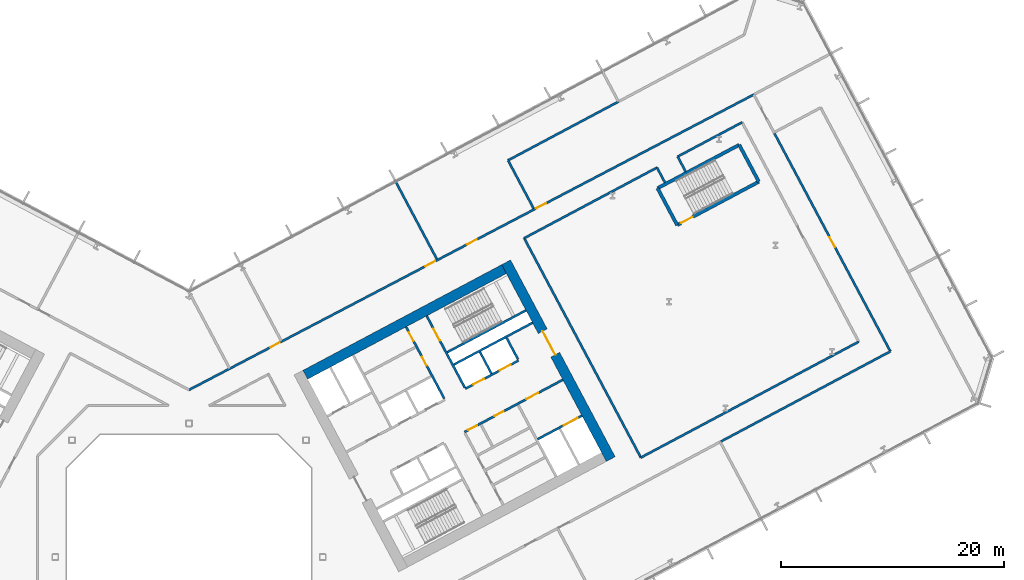
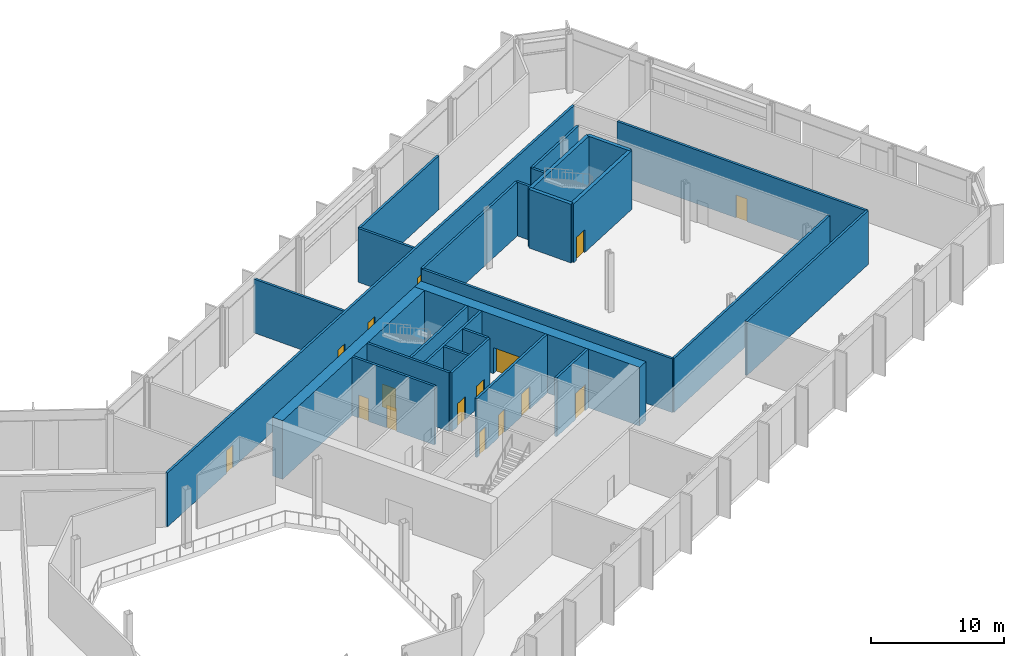
# One storey, part 16 of 31: 27 walls, 16 doors, 16 openings.
"""IFC4 building model written with IfcOpenShell, lengths in metres."""

from ifc_helpers import new_model, si_unit, direction, frame, frame_2d, origin, place, context, subcontext, project, spatial, rectangle, extrude, material, layer, layer_set, type_object, element, fill, save


model = new_model("IFC4")

# Units and contexts
model_context = context("Model", 3, precision=1e-05, world=origin(), true_north=direction((0.0, 1.0)))
body_context = subcontext(model_context, "Body", "Model", "MODEL_VIEW")
ifc_project = project(units=[si_unit("LENGTHUNIT", "METRE"), si_unit("AREAUNIT", "SQUARE_METRE"), si_unit("VOLUMEUNIT", "CUBIC_METRE"), si_unit("PLANEANGLEUNIT", "RADIAN"), si_unit("MASSUNIT", "GRAM", prefix="KILO")], contexts=[model_context])

# Site, building, storey
site_placement = place(None, origin())
site = spatial("IfcSite", under=ifc_project, at=site_placement, CompositionType="ELEMENT")
building_placement = place(site_placement, origin())
building = spatial("IfcBuilding", under=site, at=building_placement, Name="Cormorant Relay Tower", CompositionType="ELEMENT")
storey_placement = place(building_placement, frame((0.0, 0.0, 23.0)))
storey = spatial("IfcBuildingStorey", under=building, at=storey_placement, Name="L04", CompositionType="ELEMENT", Elevation=23.0)

# Wall
ifc_material_1 = material(Name="Concrete 40 MPa", Category="concrete")
ifc_layer_1 = layer(ifc_material_1, 0.199951171875)
ifc_layer_set_1 = layer_set([ifc_layer_1], Name="Core internal wall 200")
wall_type_1 = type_object("IfcWallType", Name="Core internal wall 200", PredefinedType="SOLIDWALL", material=ifc_layer_set_1)
wall_1_placement = place(storey_placement, frame((27.144287109375, 16.471435546875, 0.0), z_axis=(0.0, 0.0, 1.0), x_axis=(-0.469401318492, 0.882984938828, 0.0)))
element("IfcWall", 1, at=wall_1_placement, inside=storey, type_object=wall_type_1, Name="L04 core B shaft and room wall", PredefinedType="SOLIDWALL", context=body_context, shape_type="SweptSolid", body=[
    extrude(rectangle(XDim=2.199951171875, YDim=0.199951171875, at=frame_2d((1.10009765625, 0.0))), origin(), (0.0, 0.0, 1.0), 5.39990234375),
])

# Wall, openings, doors
ifc_material_2 = material(Name="Concrete 50 MPa", Category="concrete")
ifc_layer_2 = layer(ifc_material_2, 0.199951171875)
ifc_layer_set_2 = layer_set([ifc_layer_2], Name="Core shaft wall 200")
wall_type_2 = type_object("IfcWallType", Name="Core shaft wall 200", PredefinedType="SHEAR", material=ifc_layer_set_2)
wall_2_placement = place(storey_placement, frame((22.90625, 14.218017578125, 0.0), z_axis=(0.0, 0.0, 1.0), x_axis=(-0.469480409012, 0.88294288918, 0.0)))
wall_2 = element("IfcWall", 2, at=wall_2_placement, inside=storey, type_object=wall_type_2, Name="L04 core B shaft wall", PredefinedType="SHEAR", context=body_context, shape_type="SweptSolid", body=[
    extrude(rectangle(XDim=7.300048828125, YDim=0.199951171875, at=frame_2d((3.64990234375, 0.0))), origin(), (0.0, 0.0, 1.0), 5.39990234375),
])
opening_1_placement = place(wall_2_placement, frame((3.35009765625, 0.0, 0.0)))
opening_1 = element("IfcOpeningElement", 3, at=opening_1_placement, cuts=wall_2, Name="Opening CDD-076", PredefinedType="OPENING", context=body_context, shape_type="SweptSolid", body=[
    extrude(rectangle(XDim=0.89990234375, YDim=2.10009765625, at=frame_2d((0.449951171875, 1.050048828125))), frame((0.0, 0.10986328125, 0.0), z_axis=(0.0, -1.0, 0.0), x_axis=(1.0, 0.0, 0.0)), (0.0, 0.0, 1.0), 0.219970703125),
])
opening_2_placement = place(wall_2_placement, frame((5.85009765625, 0.0, 0.0)))
opening_2 = element("IfcOpeningElement", 4, at=opening_2_placement, cuts=wall_2, Name="Opening CDD-077", PredefinedType="OPENING", context=body_context, shape_type="SweptSolid", body=[
    extrude(rectangle(XDim=0.89990234375, YDim=2.10009765625, at=frame_2d((0.449951171875, 1.050048828125))), frame((0.0, 0.10986328125, 0.0), z_axis=(0.0, -1.0, 0.0), x_axis=(1.0, 0.0, 0.0)), (0.0, 0.0, 1.0), 0.219970703125),
])
ifc_material_3 = material(Name="Steel fire door", Category="steel")
door_type_1 = type_object("IfcDoorType", Name="Core room door 900x2100", OperationType="SINGLE_SWING_LEFT", PredefinedType="DOOR", material=ifc_material_3)
door_1_placement = place(opening_1_placement, origin())
door_1 = element("IfcDoor", 5, at=door_1_placement, inside=storey, type_object=door_type_1, Name="Core room door 900x2100", OperationType="SINGLE_SWING_RIGHT", OverallHeight=2.10009765625, OverallWidth=0.89990234375, PredefinedType="DOOR", context=body_context, shape_type="SweptSolid", body=[
    extrude(rectangle(XDim=0.89990234375, YDim=2.10009765625, at=frame_2d((0.449951171875, 1.050048828125))), frame((0.0, 0.02490234375, 0.0), z_axis=(0.0, -1.0, 0.0), x_axis=(1.0, 0.0, 0.0)), (0.0, 0.0, 1.0), 0.050048828125),
])
fill(opening_1, door_1)
door_2_placement = place(opening_2_placement, origin())
door_2 = element("IfcDoor", 6, at=door_2_placement, inside=storey, type_object=door_type_1, Name="Core room door 900x2100", OperationType="SINGLE_SWING_LEFT", OverallHeight=2.10009765625, OverallWidth=0.89990234375, PredefinedType="DOOR", context=body_context, shape_type="SweptSolid", body=[
    extrude(rectangle(XDim=0.89990234375, YDim=2.10009765625, at=frame_2d((0.449951171875, 1.050048828125))), frame((0.0, 0.02490234375, 0.0), z_axis=(0.0, -1.0, 0.0), x_axis=(1.0, 0.0, 0.0)), (0.0, 0.0, 1.0), 0.050048828125),
])
fill(opening_2, door_2)

# Wall, opening, door
wall_3_placement = place(storey_placement, frame((24.760498046875, 15.2041015625, 0.0), z_axis=(0.0, 0.0, 1.0), x_axis=(-0.469494272526, 0.882935517501, 0.0)))
wall_3 = element("IfcWall", 7, at=wall_3_placement, inside=storey, type_object=wall_type_2, Name="L04 core B shaft wall", PredefinedType="SHEAR", context=body_context, shape_type="SweptSolid", body=[
    extrude(rectangle(XDim=7.2998046875, YDim=0.199951171875, at=frame_2d((3.64990234375, 0.0))), origin(), (0.0, 0.0, 1.0), 5.39990234375),
])
opening_3_placement = place(wall_3_placement, frame((4.800048828125, 0.0, 0.0)))
opening_3 = element("IfcOpeningElement", 8, at=opening_3_placement, cuts=wall_3, Name="Opening CDB-022", PredefinedType="OPENING", context=body_context, shape_type="SweptSolid", body=[
    extrude(rectangle(XDim=1.199951171875, YDim=2.10009765625, at=frame_2d((0.60009765625, 1.050048828125))), frame((0.0, 0.10986328125, 0.0), z_axis=(0.0, -1.0, 0.0), x_axis=(1.0, 0.0, 0.0)), (0.0, 0.0, 1.0), 0.219970703125),
])
ifc_material_4 = material(Name="Steel fire door", Category="steel")
door_type_2 = type_object("IfcDoorType", Name="Core stair door 1200x2100", OperationType="SINGLE_SWING_LEFT", PredefinedType="DOOR", material=ifc_material_4)
door_3_placement = place(opening_3_placement, frame((1.199951171875, 0.0, 0.0), z_axis=(0.0, 0.0, 1.0), x_axis=(-1.0, 0.0, 0.0)))
door_3 = element("IfcDoor", 9, at=door_3_placement, inside=storey, type_object=door_type_2, Name="Core stair door 1200x2100", OperationType="SINGLE_SWING_RIGHT", OverallHeight=2.10009765625, OverallWidth=1.199951171875, PredefinedType="DOOR", context=body_context, shape_type="SweptSolid", body=[
    extrude(rectangle(XDim=1.199951171875, YDim=2.10009765625, at=frame_2d((0.60009765625, 1.050048828125))), frame((0.0, 0.02490234375, 0.0), z_axis=(0.0, -1.0, 0.0), x_axis=(1.0, 0.0, 0.0)), (0.0, 0.0, 1.0), 0.050048828125),
])
fill(opening_3, door_3)

# Wall
wall_4_placement = place(storey_placement, frame((29.5283203125, 17.739013671875, 0.0), z_axis=(0.0, 0.0, 1.0), x_axis=(-0.469401318492, 0.882984938828, 0.0)))
element("IfcWall", 10, at=wall_4_placement, inside=storey, type_object=wall_type_2, Name="L04 core B shaft wall", PredefinedType="SHEAR", context=body_context, shape_type="SweptSolid", body=[
    extrude(rectangle(XDim=2.199951171875, YDim=0.199951171875, at=frame_2d((1.10009765625, 0.0))), origin(), (0.0, 0.0, 1.0), 5.39990234375),
])

# Wall, opening, door
wall_5_placement = place(storey_placement, frame((31.295654296875, 10.5810546875, 0.0), z_axis=(0.0, 0.0, 1.0), x_axis=(0.882960433586, 0.469447412093, 0.0)))
wall_5 = element("IfcWall", 11, at=wall_5_placement, inside=storey, type_object=wall_type_2, Name="L04 core B shaft wall", PredefinedType="SHEAR", context=body_context, shape_type="SweptSolid", body=[
    extrude(rectangle(XDim=4.5, YDim=0.199951171875, at=frame_2d((2.25, 0.0))), origin(), (0.0, 0.0, 1.0), 5.39990234375),
])
opening_4_placement = place(wall_5_placement, frame((2.64990234375, 0.0, 0.0)))
opening_4 = element("IfcOpeningElement", 12, at=opening_4_placement, cuts=wall_5, Name="Opening LD3-008", PredefinedType="OPENING", context=body_context, shape_type="SweptSolid", body=[
    extrude(rectangle(XDim=1.39990234375, YDim=2.39990234375, at=frame_2d((0.699951171875, 1.199951171875))), frame((0.0, 0.10986328125, 0.0), z_axis=(0.0, -1.0, 0.0), x_axis=(1.0, 0.0, 0.0)), (0.0, 0.0, 1.0), 0.219970703125),
])
ifc_material_5 = material(Name="Stainless steel 316", Category="steel")
door_type_3 = type_object("IfcDoorType", Name="Lift landing door 1400x2400", OperationType="DOUBLE_DOOR_SLIDING", PredefinedType="DOOR", material=ifc_material_5)
door_4_placement = place(opening_4_placement, origin())
door_4 = element("IfcDoor", 13, at=door_4_placement, inside=storey, type_object=door_type_3, Name="SV2 landing door", OperationType="DOUBLE_DOOR_SLIDING", OverallHeight=2.39990234375, OverallWidth=1.39990234375, PredefinedType="DOOR", context=body_context, shape_type="SweptSolid", body=[
    extrude(rectangle(XDim=1.39990234375, YDim=2.39990234375, at=frame_2d((0.699951171875, 1.199951171875))), frame((0.0, 0.02490234375, 0.0), z_axis=(0.0, -1.0, 0.0), x_axis=(1.0, 0.0, 0.0)), (0.0, 0.0, 1.0), 0.050048828125),
])
fill(opening_4, door_4)

# Wall, openings, doors
wall_6_placement = place(storey_placement, frame((24.72607421875, 11.2216796875, 0.0), z_axis=(0.0, 0.0, 1.0), x_axis=(0.882940221191, 0.469485426614, 0.0)))
wall_6 = element("IfcWall", 14, at=wall_6_placement, inside=storey, type_object=wall_type_2, Name="L04 core B shaft wall", PredefinedType="SHEAR", context=body_context, shape_type="SweptSolid", body=[
    extrude(rectangle(XDim=10.0, YDim=0.199951171875, at=frame_2d((5.0, 0.0))), origin(), (0.0, 0.0, 1.0), 5.39990234375),
])
opening_5_placement = place(wall_6_placement, frame((6.300048828125, 0.0, 0.0)))
opening_5 = element("IfcOpeningElement", 15, at=opening_5_placement, cuts=wall_6, Name="Opening CDC-016", PredefinedType="OPENING", context=body_context, shape_type="SweptSolid", body=[
    extrude(rectangle(XDim=1.199951171875, YDim=2.10009765625, at=frame_2d((0.60009765625, 1.050048828125))), frame((0.0, 0.10986328125, 0.0), z_axis=(0.0, -1.0, 0.0), x_axis=(1.0, 0.0, 0.0)), (0.0, 0.0, 1.0), 0.219970703125),
])
opening_6_placement = place(wall_6_placement, frame((0.360107421875, 0.0, 0.0)))
opening_6 = element("IfcOpeningElement", 16, at=opening_6_placement, cuts=wall_6, Name="Opening CDD-074", PredefinedType="OPENING", context=body_context, shape_type="SweptSolid", body=[
    extrude(rectangle(XDim=0.89990234375, YDim=2.10009765625, at=frame_2d((0.449951171875, 1.050048828125))), frame((0.0, 0.10986328125, 0.0), z_axis=(0.0, -1.0, 0.0), x_axis=(1.0, 0.0, 0.0)), (0.0, 0.0, 1.0), 0.219970703125),
])
opening_7_placement = place(wall_6_placement, frame((3.06005859375, 0.0, 0.0)))
opening_7 = element("IfcOpeningElement", 17, at=opening_7_placement, cuts=wall_6, Name="Opening CDD-075", PredefinedType="OPENING", context=body_context, shape_type="SweptSolid", body=[
    extrude(rectangle(XDim=0.89990234375, YDim=2.10009765625, at=frame_2d((0.449951171875, 1.050048828125))), frame((0.0, 0.10986328125, 0.0), z_axis=(0.0, -1.0, 0.0), x_axis=(1.0, 0.0, 0.0)), (0.0, 0.0, 1.0), 0.219970703125),
])
ifc_material_6 = material(Name="Steel fire door", Category="steel")
door_type_4 = type_object("IfcDoorType", Name="Core lobby door 1200x2100", OperationType="SINGLE_SWING_LEFT", PredefinedType="DOOR", material=ifc_material_6)
door_5_placement = place(opening_5_placement, frame((1.199951171875, 0.0, 0.0), z_axis=(0.0, 0.0, 1.0), x_axis=(-1.0, 0.0, 0.0)))
door_5 = element("IfcDoor", 18, at=door_5_placement, inside=storey, type_object=door_type_4, Name="Core lobby door 1200x2100", OperationType="SINGLE_SWING_RIGHT", OverallHeight=2.10009765625, OverallWidth=1.199951171875, PredefinedType="DOOR", context=body_context, shape_type="SweptSolid", body=[
    extrude(rectangle(XDim=1.199951171875, YDim=2.10009765625, at=frame_2d((0.60009765625, 1.050048828125))), frame((0.0, 0.02490234375, 0.0), z_axis=(0.0, -1.0, 0.0), x_axis=(1.0, 0.0, 0.0)), (0.0, 0.0, 1.0), 0.050048828125),
])
fill(opening_5, door_5)
door_6_placement = place(opening_6_placement, frame((0.89990234375, 0.0, 0.0), z_axis=(0.0, 0.0, 1.0), x_axis=(-1.0, 0.0, 0.0)))
door_6 = element("IfcDoor", 19, at=door_6_placement, inside=storey, type_object=door_type_1, Name="Core room door 900x2100", OperationType="SINGLE_SWING_RIGHT", OverallHeight=2.10009765625, OverallWidth=0.89990234375, PredefinedType="DOOR", context=body_context, shape_type="SweptSolid", body=[
    extrude(rectangle(XDim=0.89990234375, YDim=2.10009765625, at=frame_2d((0.449951171875, 1.050048828125))), frame((0.0, 0.02490234375, 0.0), z_axis=(0.0, -1.0, 0.0), x_axis=(1.0, 0.0, 0.0)), (0.0, 0.0, 1.0), 0.050048828125),
])
fill(opening_6, door_6)
door_7_placement = place(opening_7_placement, frame((0.89990234375, 0.0, 0.0), z_axis=(0.0, 0.0, 1.0), x_axis=(-1.0, 0.0, 0.0)))
door_7 = element("IfcDoor", 20, at=door_7_placement, inside=storey, type_object=door_type_1, Name="Core room door 900x2100", OperationType="SINGLE_SWING_RIGHT", OverallHeight=2.10009765625, OverallWidth=0.89990234375, PredefinedType="DOOR", context=body_context, shape_type="SweptSolid", body=[
    extrude(rectangle(XDim=0.89990234375, YDim=2.10009765625, at=frame_2d((0.449951171875, 1.050048828125))), frame((0.0, 0.02490234375, 0.0), z_axis=(0.0, -1.0, 0.0), x_axis=(1.0, 0.0, 0.0)), (0.0, 0.0, 1.0), 0.050048828125),
])
fill(opening_7, door_7)

wall_7_placement = place(storey_placement, frame((24.807373046875, 15.11572265625, 0.0), z_axis=(0.0, 0.0, 1.0), x_axis=(0.882942972946, 0.469480251476, 0.0)))
wall_7 = element("IfcWall", 21, at=wall_7_placement, inside=storey, type_object=wall_type_2, Name="L04 core B shaft wall", PredefinedType="SHEAR", context=body_context, shape_type="SweptSolid", body=[
    extrude(rectangle(XDim=5.39990234375, YDim=0.199951171875, at=frame_2d((2.699951171875, 0.0))), origin(), (0.0, 0.0, 1.0), 5.39990234375),
])
opening_8_placement = place(wall_7_placement, frame((0.800048828125, 0.0, 0.0)))
opening_8 = element("IfcOpeningElement", 22, at=opening_8_placement, cuts=wall_7, Name="Opening LD1-022", PredefinedType="OPENING", context=body_context, shape_type="SweptSolid", body=[
    extrude(rectangle(XDim=1.10009765625, YDim=2.10009765625, at=frame_2d((0.550048828125, 1.050048828125))), frame((0.0, 0.10986328125, 0.0), z_axis=(0.0, -1.0, 0.0), x_axis=(1.0, 0.0, 0.0)), (0.0, 0.0, 1.0), 0.219970703125),
])
opening_9_placement = place(wall_7_placement, frame((3.5, 0.0, 0.0)))
opening_9 = element("IfcOpeningElement", 23, at=opening_9_placement, cuts=wall_7, Name="Opening LD1-023", PredefinedType="OPENING", context=body_context, shape_type="SweptSolid", body=[
    extrude(rectangle(XDim=1.10009765625, YDim=2.10009765625, at=frame_2d((0.550048828125, 1.050048828125))), frame((0.0, 0.10986328125, 0.0), z_axis=(0.0, -1.0, 0.0), x_axis=(1.0, 0.0, 0.0)), (0.0, 0.0, 1.0), 0.219970703125),
])
ifc_material_7 = material(Name="Stainless steel 316", Category="steel")
door_type_5 = type_object("IfcDoorType", Name="Lift landing door 1100x2100", OperationType="DOUBLE_DOOR_SLIDING", PredefinedType="DOOR", material=ifc_material_7)
door_8_placement = place(opening_8_placement, origin())
door_8 = element("IfcDoor", 24, at=door_8_placement, inside=storey, type_object=door_type_5, Name="LR3 landing door", OperationType="DOUBLE_DOOR_SLIDING", OverallHeight=2.10009765625, OverallWidth=1.10009765625, PredefinedType="DOOR", context=body_context, shape_type="SweptSolid", body=[
    extrude(rectangle(XDim=1.10009765625, YDim=2.10009765625, at=frame_2d((0.550048828125, 1.050048828125))), frame((0.0, 0.02490234375, 0.0), z_axis=(0.0, -1.0, 0.0), x_axis=(1.0, 0.0, 0.0)), (0.0, 0.0, 1.0), 0.050048828125),
])
fill(opening_8, door_8)
door_9_placement = place(opening_9_placement, origin())
door_9 = element("IfcDoor", 25, at=door_9_placement, inside=storey, type_object=door_type_5, Name="LR4 landing door", OperationType="DOUBLE_DOOR_SLIDING", OverallHeight=2.10009765625, OverallWidth=1.10009765625, PredefinedType="DOOR", context=body_context, shape_type="SweptSolid", body=[
    extrude(rectangle(XDim=1.10009765625, YDim=2.10009765625, at=frame_2d((0.550048828125, 1.050048828125))), frame((0.0, 0.02490234375, 0.0), z_axis=(0.0, -1.0, 0.0), x_axis=(1.0, 0.0, 0.0)), (0.0, 0.0, 1.0), 0.050048828125),
])
fill(opening_9, door_9)

# Walls
wall_8_placement = place(storey_placement, frame((23.76904296875, 17.28173828125, 0.0), z_axis=(0.0, 0.0, 1.0), x_axis=(0.882940221191, 0.469485426614, 0.0)))
element("IfcWall", 26, at=wall_8_placement, inside=storey, type_object=wall_type_2, Name="L04 core B shaft wall", PredefinedType="SHEAR", context=body_context, shape_type="SweptSolid", body=[
    extrude(rectangle(XDim=8.0, YDim=0.199951171875, at=frame_2d((4.0, 0.0))), origin(), (0.0, 0.0, 1.0), 5.39990234375),
])
wall_9_placement = place(storey_placement, frame((23.18212890625, 18.385498046875, 0.0), z_axis=(0.0, 0.0, 1.0), x_axis=(0.88295287151, 0.469461634952, 0.0)))
element("IfcWall", 27, at=wall_9_placement, inside=storey, type_object=wall_type_2, Name="L04 core B shaft wall", PredefinedType="SHEAR", context=body_context, shape_type="SweptSolid", body=[
    extrude(rectangle(XDim=7.999755859375, YDim=0.199951171875, at=frame_2d((4.0, 0.0))), origin(), (0.0, 0.0, 1.0), 5.39990234375),
])

# Wall, opening, door
ifc_material_8 = material(Name="Concrete 70 MPa", Category="concrete")
ifc_layer_3 = layer(ifc_material_8, 0.89990234375)
ifc_layer_set_3 = layer_set([ifc_layer_3], Name="Core wall 900")
wall_type_3 = type_object("IfcWallType", Name="Core wall 900", PredefinedType="SHEAR", material=ifc_layer_set_3)
wall_10_placement = place(storey_placement, frame((37.849365234375, 8.799072265625, 0.0), z_axis=(0.0, 0.0, 1.0), x_axis=(-0.469465789982, 0.882950662289, 0.0)))
wall_10 = element("IfcWall", 28, at=wall_10_placement, inside=storey, type_object=wall_type_3, Name="L04 core B wall", PredefinedType="SHEAR", context=body_context, shape_type="SweptSolid", body=[
    extrude(rectangle(XDim=20.000244140625, YDim=0.89990234375, at=frame_2d((10.0, 0.0))), origin(), (0.0, 0.0, 1.0), 5.39990234375),
])
opening_10_placement = place(wall_10_placement, frame((10.60009765625, 0.0, 0.0)))
opening_10 = element("IfcOpeningElement", 29, at=opening_10_placement, cuts=wall_10, Name="Opening CDA-016", PredefinedType="OPENING", context=body_context, shape_type="SweptSolid", body=[
    extrude(rectangle(XDim=2.39990234375, YDim=2.39990234375, at=frame_2d((1.199951171875, 1.199951171875))), frame((0.0, 0.4599609375, 0.0), z_axis=(0.0, -1.0, 0.0), x_axis=(1.0, 0.0, 0.0)), (0.0, 0.0, 1.0), 0.919921875),
])
ifc_material_9 = material(Name="Steel fire door", Category="steel")
door_type_6 = type_object("IfcDoorType", Name="Core lobby door 2400x2400", OperationType="DOUBLE_DOOR_SINGLE_SWING", PredefinedType="DOOR", material=ifc_material_9)
door_10_placement = place(opening_10_placement, origin())
door_10 = element("IfcDoor", 30, at=door_10_placement, inside=storey, type_object=door_type_6, Name="Core lobby door 2400x2400", OperationType="DOUBLE_DOOR_SINGLE_SWING", OverallHeight=2.39990234375, OverallWidth=2.39990234375, PredefinedType="DOOR", context=body_context, shape_type="SweptSolid", body=[
    extrude(rectangle(XDim=2.39990234375, YDim=2.39990234375, at=frame_2d((1.199951171875, 1.199951171875))), frame((0.0, 0.02490234375, 0.0), z_axis=(0.0, -1.0, 0.0), x_axis=(1.0, 0.0, 0.0)), (0.0, 0.0, 1.0), 0.050048828125),
])
fill(opening_10, door_10)

# Wall
wall_11_placement = place(storey_placement, frame((10.4384765625, 16.3662109375, 0.0), z_axis=(0.0, 0.0, 1.0), x_axis=(0.88294509198, 0.469476266226, 0.0)))
element("IfcWall", 31, at=wall_11_placement, inside=storey, type_object=wall_type_3, Name="L04 core B wall", PredefinedType="SHEAR", context=body_context, shape_type="SweptSolid", body=[
    extrude(rectangle(XDim=20.199951171875, YDim=0.89990234375, at=frame_2d((10.10009765625, 0.0))), origin(), (0.0, 0.0, 1.0), 5.39990234375),
])

# Wall, openings, doors
ifc_material_10 = material(Name="Fire-rated gypsum board partition")
ifc_layer_4 = layer(ifc_material_10, 0.199951171875)
ifc_layer_set_4 = layer_set([ifc_layer_4], Name="Fire-rated gypsum partition 200")
wall_type_4 = type_object("IfcWallType", Name="Fire-rated gypsum partition 200", PredefinedType="PARTITIONING", material=ifc_layer_set_4)
wall_12_placement = place(storey_placement, frame((0.0, 15.007080078125, 0.0), z_axis=(0.0, 0.0, 1.0), x_axis=(0.886151087154, 0.463396429352, 0.0)))
wall_12 = element("IfcWall", 32, at=wall_12_placement, inside=storey, type_object=wall_type_4, Name="wall/L04/part/34", PredefinedType="PARTITIONING", context=body_context, shape_type="SweptSolid", body=[
    extrude(rectangle(XDim=57.2060546875, YDim=0.199951171875, at=frame_2d((28.60302734375, 0.0))), origin(), (0.0, 0.0, 1.0), 4.949951171875),
])
opening_11_placement = place(wall_12_placement, frame((35.14892578125, 0.0, 0.0)))
opening_11 = element("IfcOpeningElement", 33, at=opening_11_placement, cuts=wall_12, Name="Opening FD1-027", PredefinedType="OPENING", context=body_context, shape_type="SweptSolid", body=[
    extrude(rectangle(XDim=1.0, YDim=2.10009765625, at=frame_2d((0.5, 1.050048828125))), frame((0.0, 0.10986328125, 0.0), z_axis=(0.0, -1.0, 0.0), x_axis=(1.0, 0.0, 0.0)), (0.0, 0.0, 1.0), 0.219970703125),
])
opening_12_placement = place(wall_12_placement, frame((28.14990234375, 0.0, 0.0)))
opening_12 = element("IfcOpeningElement", 34, at=opening_12_placement, cuts=wall_12, Name="Opening FD1-028", PredefinedType="OPENING", context=body_context, shape_type="SweptSolid", body=[
    extrude(rectangle(XDim=1.0, YDim=2.10009765625, at=frame_2d((0.5, 1.050048828125))), frame((0.0, 0.10986328125, 0.0), z_axis=(0.0, -1.0, 0.0), x_axis=(1.0, 0.0, 0.0)), (0.0, 0.0, 1.0), 0.219970703125),
])
opening_13_placement = place(wall_12_placement, frame((23.948974609375, 0.0, 0.0)))
opening_13 = element("IfcOpeningElement", 35, at=opening_13_placement, cuts=wall_12, Name="Opening FD1-012", PredefinedType="OPENING", context=body_context, shape_type="SweptSolid", body=[
    extrude(rectangle(XDim=1.0, YDim=2.10009765625, at=frame_2d((0.5, 1.050048828125))), frame((0.0, 0.10986328125, 0.0), z_axis=(0.0, -1.0, 0.0), x_axis=(1.0, 0.0, 0.0)), (0.0, 0.0, 1.0), 0.219970703125),
])
opening_14_placement = place(wall_12_placement, frame((8.25, 0.0, 0.0)))
opening_14 = element("IfcOpeningElement", 36, at=opening_14_placement, cuts=wall_12, Name="Opening D2-003", PredefinedType="OPENING", context=body_context, shape_type="SweptSolid", body=[
    extrude(rectangle(XDim=0.949951171875, YDim=2.10009765625, at=frame_2d((0.47509765625, 1.050048828125))), frame((0.0, 0.10986328125, 0.0), z_axis=(0.0, -1.0, 0.0), x_axis=(1.0, 0.0, 0.0)), (0.0, 0.0, 1.0), 0.219970703125),
])
ifc_material_11 = material(Name="Fire-rated steel door", Category="steel")
door_type_7 = type_object("IfcDoorType", Name="Fire door 1000 x 2100", OperationType="SINGLE_SWING_LEFT", PredefinedType="DOOR", material=ifc_material_11)
door_11_placement = place(opening_11_placement, origin())
door_11 = element("IfcDoor", 37, at=door_11_placement, inside=storey, type_object=door_type_7, Name="door/L04/8", OperationType="SINGLE_SWING_LEFT", OverallHeight=2.10009765625, OverallWidth=1.0, PredefinedType="DOOR", context=body_context, shape_type="SweptSolid", body=[
    extrude(rectangle(XDim=1.0, YDim=2.10009765625, at=frame_2d((0.5, 1.050048828125))), frame((0.0, 0.02490234375, 0.0), z_axis=(0.0, -1.0, 0.0), x_axis=(1.0, 0.0, 0.0)), (0.0, 0.0, 1.0), 0.050048828125),
])
fill(opening_11, door_11)
door_12_placement = place(opening_12_placement, origin())
door_12 = element("IfcDoor", 38, at=door_12_placement, inside=storey, type_object=door_type_7, Name="door/L04/9", OperationType="SINGLE_SWING_LEFT", OverallHeight=2.10009765625, OverallWidth=1.0, PredefinedType="DOOR", context=body_context, shape_type="SweptSolid", body=[
    extrude(rectangle(XDim=1.0, YDim=2.10009765625, at=frame_2d((0.5, 1.050048828125))), frame((0.0, 0.02490234375, 0.0), z_axis=(0.0, -1.0, 0.0), x_axis=(1.0, 0.0, 0.0)), (0.0, 0.0, 1.0), 0.050048828125),
])
fill(opening_12, door_12)
door_13_placement = place(opening_13_placement, origin())
door_13 = element("IfcDoor", 39, at=door_13_placement, inside=storey, type_object=door_type_7, Name="door/L04/10", OperationType="SINGLE_SWING_RIGHT", OverallHeight=2.10009765625, OverallWidth=1.0, PredefinedType="DOOR", context=body_context, shape_type="SweptSolid", body=[
    extrude(rectangle(XDim=1.0, YDim=2.10009765625, at=frame_2d((0.5, 1.050048828125))), frame((0.0, 0.02490234375, 0.0), z_axis=(0.0, -1.0, 0.0), x_axis=(1.0, 0.0, 0.0)), (0.0, 0.0, 1.0), 0.050048828125),
])
fill(opening_13, door_13)
ifc_material_12 = material(Name="Timber door", Category="wood")
door_type_8 = type_object("IfcDoorType", Name="Toilet door 950 x 2100", OperationType="SINGLE_SWING_LEFT", PredefinedType="DOOR", material=ifc_material_12)
door_14_placement = place(opening_14_placement, origin())
door_14 = element("IfcDoor", 40, at=door_14_placement, inside=storey, type_object=door_type_8, Name="door/L04/11", OperationType="SINGLE_SWING_RIGHT", OverallHeight=2.10009765625, OverallWidth=0.949951171875, PredefinedType="DOOR", context=body_context, shape_type="SweptSolid", body=[
    extrude(rectangle(XDim=0.949951171875, YDim=2.10009765625, at=frame_2d((0.47509765625, 1.050048828125))), frame((0.0, 0.02490234375, 0.0), z_axis=(0.0, -1.0, 0.0), x_axis=(1.0, 0.0, 0.0)), (0.0, 0.0, 1.0), 0.050048828125),
])
fill(opening_14, door_14)

# Walls
wall_13_placement = place(storey_placement, frame((18.47509765625, 33.833984375, 0.0), z_axis=(0.0, 0.0, 1.0), x_axis=(0.469545336722, -0.882908362608, 0.0)))
element("IfcWall", 41, at=wall_13_placement, inside=storey, type_object=wall_type_4, Name="wall/L04/part/50", PredefinedType="PARTITIONING", context=body_context, shape_type="SweptSolid", body=[
    extrude(rectangle(XDim=8.021728515625, YDim=0.199951171875, at=frame_2d((4.0107421875, 0.0))), origin(), (0.0, 0.0, 1.0), 4.949951171875),
])
wall_14_placement = place(storey_placement, frame((30.9287109375, 31.294189453125, 0.0), z_axis=(0.0, 0.0, 1.0), x_axis=(-0.469522706503, 0.882920397362, 0.0)))
element("IfcWall", 42, at=wall_14_placement, inside=storey, type_object=wall_type_4, Name="wall/L04/part/53", PredefinedType="PARTITIONING", context=body_context, shape_type="SweptSolid", body=[
    extrude(rectangle(XDim=4.889404296875, YDim=0.199951171875, at=frame_2d((2.44482421875, 0.0))), origin(), (0.0, 0.0, 1.0), 4.949951171875),
])
wall_15_placement = place(storey_placement, frame((28.633056640625, 35.611083984375, 0.0), z_axis=(0.0, 0.0, 1.0), x_axis=(0.882938561172, 0.469488548524, 0.0)))
element("IfcWall", 43, at=wall_15_placement, inside=storey, type_object=wall_type_4, Name="wall/L04/part/54", PredefinedType="PARTITIONING", context=body_context, shape_type="SweptSolid", body=[
    extrude(rectangle(XDim=11.22705078125, YDim=0.199951171875, at=frame_2d((5.613525390625, 0.0))), origin(), (0.0, 0.0, 1.0), 4.949951171875),
])
wall_16_placement = place(storey_placement, frame((44.5771484375, 34.595458984375, 0.0), z_axis=(0.0, 0.0, 1.0), x_axis=(-0.469512532402, 0.882925807708, 0.0)))
element("IfcWall", 44, at=wall_16_placement, inside=storey, type_object=wall_type_4, Name="wall/L04/part/60", PredefinedType="PARTITIONING", context=body_context, shape_type="SweptSolid", body=[
    extrude(rectangle(XDim=1.531982421875, YDim=0.199951171875, at=frame_2d((0.76611328125, 0.0))), origin(), (0.0, 0.0, 1.0), 4.949951171875),
])
wall_17_placement = place(storey_placement, frame((43.85791015625, 35.947998046875, 0.0), z_axis=(0.0, 0.0, 1.0), x_axis=(0.882949648076, 0.469467697464, 0.0)))
element("IfcWall", 45, at=wall_17_placement, inside=storey, type_object=wall_type_4, Name="wall/L04/part/61", PredefinedType="PARTITIONING", context=body_context, shape_type="SweptSolid", body=[
    extrude(rectangle(XDim=6.5498046875, YDim=0.199951171875, at=frame_2d((3.27490234375, 0.0))), origin(), (0.0, 0.0, 1.0), 4.949951171875),
])
wall_18_placement = place(storey_placement, frame((60.110107421875, 19.3330078125, 0.0), z_axis=(0.0, 0.0, 1.0), x_axis=(-0.882943552693, -0.469479161154, 0.0)))
element("IfcWall", 46, at=wall_18_placement, inside=storey, type_object=wall_type_4, Name="wall/L04/part/63", PredefinedType="PARTITIONING", context=body_context, shape_type="SweptSolid", body=[
    extrude(rectangle(XDim=22.14990234375, YDim=0.199951171875, at=frame_2d((11.074951171875, 0.0))), origin(), (0.0, 0.0, 1.0), 4.949951171875),
])
wall_19_placement = place(storey_placement, frame((40.552978515625, 8.93408203125, 0.0), z_axis=(0.0, 0.0, 1.0), x_axis=(-0.46949404623, 0.882935637832, 0.0)))
element("IfcWall", 47, at=wall_19_placement, inside=storey, type_object=wall_type_4, Name="wall/L04/part/64", PredefinedType="PARTITIONING", context=body_context, shape_type="SweptSolid", body=[
    extrude(rectangle(XDim=22.300537109375, YDim=0.199951171875, at=frame_2d((11.150390625, 0.0))), origin(), (0.0, 0.0, 1.0), 4.949951171875),
])
wall_20_placement = place(storey_placement, frame((30.0830078125, 28.6240234375, 0.0), z_axis=(0.0, 0.0, 1.0), x_axis=(0.882964893563, 0.469439023448, 0.0)))
element("IfcWall", 48, at=wall_20_placement, inside=storey, type_object=wall_type_4, Name="wall/L04/part/65", PredefinedType="PARTITIONING", context=body_context, shape_type="SweptSolid", body=[
    extrude(rectangle(XDim=13.5009765625, YDim=0.199951171875, at=frame_2d((6.75048828125, 0.0))), origin(), (0.0, 0.0, 1.0), 4.949951171875),
])
wall_21_placement = place(storey_placement, frame((42.00390625, 34.9619140625, 0.0), z_axis=(0.0, 0.0, 1.0), x_axis=(0.469583805178, -0.882887903369, 0.0)))
element("IfcWall", 49, at=wall_21_placement, inside=storey, type_object=wall_type_4, Name="wall/L04/part/66", PredefinedType="PARTITIONING", context=body_context, shape_type="SweptSolid", body=[
    extrude(rectangle(XDim=1.52685546875, YDim=0.199951171875, at=frame_2d((0.763427734375, 0.0))), origin(), (0.0, 0.0, 1.0), 4.949951171875),
])

# Wall, opening, door
wall_22_placement = place(storey_placement, frame((52.544921875, 38.032958984375, 0.0), z_axis=(0.0, 0.0, 1.0), x_axis=(0.469474673387, -0.882945938916, 0.0)))
wall_22 = element("IfcWall", 50, at=wall_22_placement, inside=storey, type_object=wall_type_4, Name="wall/L04/part/67", PredefinedType="PARTITIONING", context=body_context, shape_type="SweptSolid", body=[
    extrude(rectangle(XDim=22.1630859375, YDim=0.199951171875, at=frame_2d((11.08154296875, 0.0))), origin(), (0.0, 0.0, 1.0), 4.949951171875),
])
opening_15_placement = place(wall_22_placement, frame((10.551025390625, 0.0, 0.0)))
opening_15 = element("IfcOpeningElement", 51, at=opening_15_placement, cuts=wall_22, Name="Opening FD1-025", PredefinedType="OPENING", context=body_context, shape_type="SweptSolid", body=[
    extrude(rectangle(XDim=1.0, YDim=2.10009765625, at=frame_2d((0.5, 1.050048828125))), frame((0.0, 0.10986328125, 0.0), z_axis=(0.0, -1.0, 0.0), x_axis=(1.0, 0.0, 0.0)), (0.0, 0.0, 1.0), 0.219970703125),
])
door_15_placement = place(opening_15_placement, origin())
door_15 = element("IfcDoor", 52, at=door_15_placement, inside=storey, type_object=door_type_7, Name="door/L04/6", OperationType="SINGLE_SWING_LEFT", OverallHeight=2.10009765625, OverallWidth=1.0, PredefinedType="DOOR", context=body_context, shape_type="SweptSolid", body=[
    extrude(rectangle(XDim=1.0, YDim=2.10009765625, at=frame_2d((0.5, 1.050048828125))), frame((0.0, 0.02490234375, 0.0), z_axis=(0.0, -1.0, 0.0), x_axis=(1.0, 0.0, 0.0)), (0.0, 0.0, 1.0), 0.050048828125),
])
fill(opening_15, door_15)

# Walls
wall_23_placement = place(storey_placement, frame((62.949951171875, 18.464111328125, 0.0), z_axis=(0.0, 0.0, 1.0), x_axis=(-0.882953495127, -0.469460462065, 0.0)))
element("IfcWall", 53, at=wall_23_placement, inside=storey, type_object=wall_type_4, Name="wall/L04/part/68", PredefinedType="PARTITIONING", context=body_context, shape_type="SweptSolid", body=[
    extrude(rectangle(XDim=17.230712890625, YDim=0.199951171875, at=frame_2d((8.615234375, 0.0))), origin(), (0.0, 0.0, 1.0), 4.949951171875),
])
ifc_material_13 = material(Name="Concrete 50 MPa", Category="concrete")
ifc_layer_5 = layer(ifc_material_13, 0.300048828125)
ifc_layer_set_5 = layer_set([ifc_layer_5], Name="Remote stair wall 300")
wall_type_5 = type_object("IfcWallType", Name="Remote stair wall 300", PredefinedType="SHEAR", material=ifc_layer_set_5)
wall_24_placement = place(storey_placement, frame((49.384033203125, 37.00390625, 0.0), z_axis=(0.0, 0.0, 1.0), x_axis=(0.46946936446, -0.882948761726, 0.0)))
element("IfcWall", 54, at=wall_24_placement, inside=storey, type_object=wall_type_5, Name="L04 exit stair RB1 wall", PredefinedType="SHEAR", context=body_context, shape_type="SweptSolid", body=[
    extrude(rectangle(XDim=3.75, YDim=0.300048828125, at=frame_2d((1.875, 0.0))), origin(), (0.0, 0.0, 1.0), 5.39990234375),
])

# Wall, opening, door
wall_25_placement = place(storey_placement, frame((51.14453125, 33.69287109375, 0.0), z_axis=(0.0, 0.0, 1.0), x_axis=(-0.882945809314, -0.469474917132, 0.0)))
wall_25 = element("IfcWall", 55, at=wall_25_placement, inside=storey, type_object=wall_type_5, Name="L04 exit stair RB1 wall", PredefinedType="SHEAR", context=body_context, shape_type="SweptSolid", body=[
    extrude(rectangle(XDim=8.30029296875, YDim=0.300048828125, at=frame_2d((4.150146484375, 0.0))), origin(), (0.0, 0.0, 1.0), 5.39990234375),
])
opening_16_placement = place(wall_25_placement, frame((6.72509765625, 0.0, 0.0)))
opening_16 = element("IfcOpeningElement", 56, at=opening_16_placement, cuts=wall_25, Name="Opening CDB-023", PredefinedType="OPENING", context=body_context, shape_type="SweptSolid", body=[
    extrude(rectangle(XDim=1.199951171875, YDim=2.10009765625, at=frame_2d((0.60009765625, 1.050048828125))), frame((0.0, 0.159912109375, 0.0), z_axis=(0.0, -1.0, 0.0), x_axis=(1.0, 0.0, 0.0)), (0.0, 0.0, 1.0), 0.320068359375),
])
door_16_placement = place(opening_16_placement, frame((1.199951171875, 0.0, 0.0), z_axis=(0.0, 0.0, 1.0), x_axis=(-1.0, 0.0, 0.0)))
door_16 = element("IfcDoor", 57, at=door_16_placement, inside=storey, type_object=door_type_2, Name="Exit stair RB1 door", OperationType="SINGLE_SWING_LEFT", OverallHeight=2.10009765625, OverallWidth=1.199951171875, PredefinedType="DOOR", context=body_context, shape_type="SweptSolid", body=[
    extrude(rectangle(XDim=1.199951171875, YDim=2.10009765625, at=frame_2d((0.60009765625, 1.050048828125))), frame((0.0, 0.02490234375, 0.0), z_axis=(0.0, -1.0, 0.0), x_axis=(1.0, 0.0, 0.0)), (0.0, 0.0, 1.0), 0.050048828125),
])
fill(opening_16, door_16)

# Walls
wall_26_placement = place(storey_placement, frame((43.81591796875, 29.796142578125, 0.0), z_axis=(0.0, 0.0, 1.0), x_axis=(-0.46946936446, 0.882948761726, 0.0)))
element("IfcWall", 58, at=wall_26_placement, inside=storey, type_object=wall_type_5, Name="L04 exit stair RB1 wall", PredefinedType="SHEAR", context=body_context, shape_type="SweptSolid", body=[
    extrude(rectangle(XDim=3.75, YDim=0.300048828125, at=frame_2d((1.875, 0.0))), origin(), (0.0, 0.0, 1.0), 5.39990234375),
])
wall_27_placement = place(storey_placement, frame((42.055419921875, 33.107177734375, 0.0), z_axis=(0.0, 0.0, 1.0), x_axis=(0.882945809314, 0.469474917132, 0.0)))
element("IfcWall", 59, at=wall_27_placement, inside=storey, type_object=wall_type_5, Name="L04 exit stair RB1 wall", PredefinedType="SHEAR", context=body_context, shape_type="SweptSolid", body=[
    extrude(rectangle(XDim=8.30029296875, YDim=0.300048828125, at=frame_2d((4.150146484375, 0.0))), origin(), (0.0, 0.0, 1.0), 5.39990234375),
])

save(model, "model.ifc")
